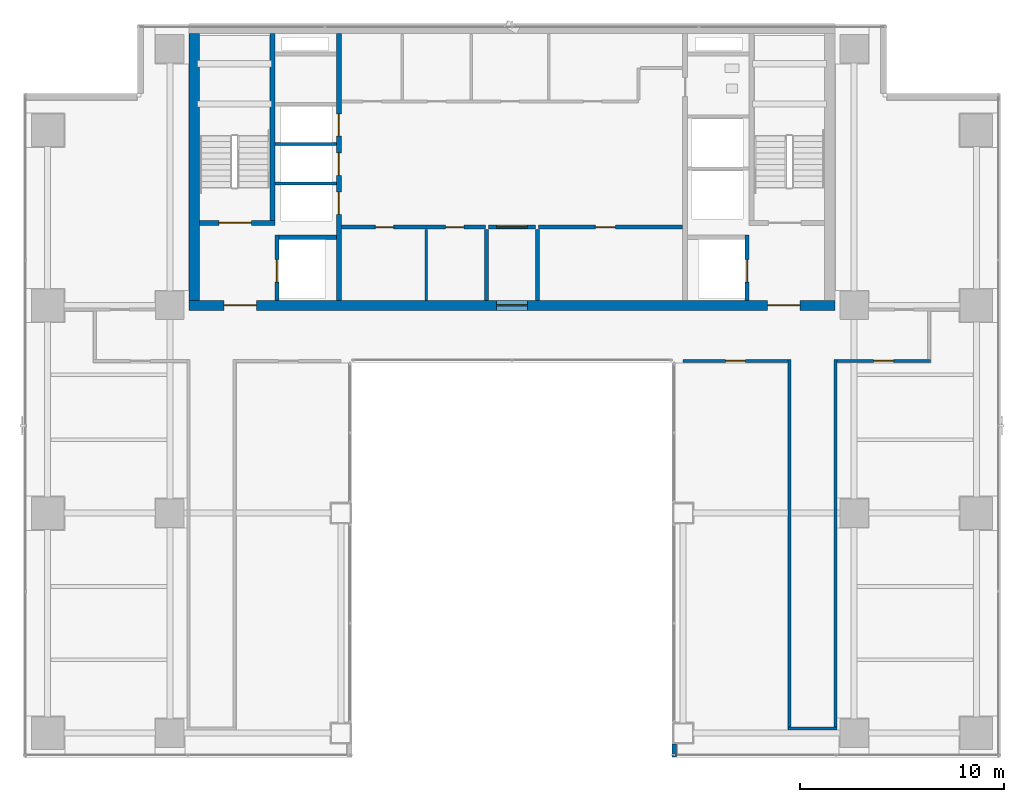
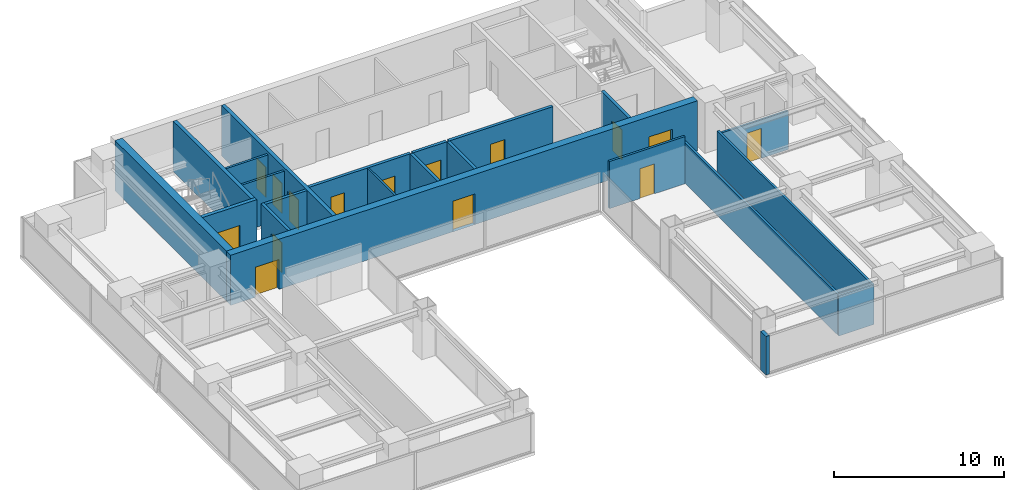
# One storey, part 24 of 28: 22 walls, 15 doors, 15 openings.
"""IFC4 building model written with IfcOpenShell, lengths in metres."""

from ifc_helpers import new_model, si_unit, direction, frame, frame_2d, origin, place, context, subcontext, project, spatial, rectangle, extrude, source, transform, mapped, material, layer, layer_set, type_object, element, fill, save


model = new_model("IFC4")

# Units and contexts
model_context = context("Model", 3, precision=1e-05, world=origin(), true_north=direction((0.0, 1.0)))
body_context = subcontext(model_context, "Body", "Model", "MODEL_VIEW")
ifc_project = project(units=[si_unit("LENGTHUNIT", "METRE"), si_unit("AREAUNIT", "SQUARE_METRE"), si_unit("VOLUMEUNIT", "CUBIC_METRE"), si_unit("PLANEANGLEUNIT", "RADIAN"), si_unit("MASSUNIT", "GRAM", prefix="KILO")], contexts=[model_context])

# Site, building, storey
site_placement = place(None, origin())
site = spatial("IfcSite", under=ifc_project, at=site_placement, CompositionType="ELEMENT")
building_placement = place(site_placement, origin())
building = spatial("IfcBuilding", under=site, at=building_placement, Name="Sumidabori Civic Tower", CompositionType="ELEMENT")
storey_placement = place(building_placement, frame((0.0, 0.0, 210.800048828125)))
storey = spatial("IfcBuildingStorey", under=building, at=storey_placement, Name="L54", CompositionType="ELEMENT", Elevation=210.800048828125)

# Wall
ifc_material_1 = material(Name="Concrete C50/60", Category="concrete")
ifc_layer_1 = layer(ifc_material_1, 0.199951171875, Name="Concrete C50/60")
ifc_layer_set_1 = layer_set([ifc_layer_1], Name="Concrete C50/60")
wall_type_1 = type_object("IfcWallType", Name="WL-SHAFT-200", PredefinedType="SHEAR", material=ifc_layer_set_1)
shared_shape_1 = source(origin(), body_context, "Body", "SweptSolid", [
    extrude(rectangle(XDim=2.824951171875, YDim=0.199951171875, at=frame_2d((1.41259765625, 0.0))), origin(), (0.0, 0.0, 1.0), 3.599853515625),
])
wall_1_placement = place(storey_placement, frame((-11.449951171875, 13.550048828125, 0.0), z_axis=(0.0, 0.0, 1.0), x_axis=(1.0, 0.0, 0.0)))
element("IfcWall", 1, at=wall_1_placement, inside=storey, type_object=wall_type_1, Name="Core Shear Wall L54 EL1-N", PredefinedType="SHEAR", context=body_context, shape_type="MappedRepresentation", body=[
    mapped(shared_shape_1, transform((0.0, 0.0, 0.0), x_axis=(1.0, 0.0, 0.0), y_axis=(0.0, 1.0, 0.0), z_axis=(0.0, 0.0, 1.0), scale=1.0)),
])

# Wall, openings, doors
ifc_layer_2 = layer(ifc_material_1, 0.5, Name="Concrete C50/60")
ifc_layer_set_2 = layer_set([ifc_layer_2], Name="Concrete C50/60")
wall_type_2 = type_object("IfcWallType", Name="WL-CORE-500", PredefinedType="SHEAR", material=ifc_layer_set_2)
shared_shape_2 = source(origin(), body_context, "Body", "SweptSolid", [
    extrude(rectangle(XDim=31.7001953125, YDim=0.5, at=frame_2d((15.85009765625, 0.0))), origin(), (0.0, 0.0, 1.0), 3.599853515625),
])
wall_2_placement = place(storey_placement, frame((-15.85009765625, 10.199951171875, 0.0), z_axis=(0.0, 0.0, 1.0), x_axis=(1.0, 0.0, 0.0)))
wall_2 = element("IfcWall", 2, at=wall_2_placement, inside=storey, type_object=wall_type_2, Name="Core Shear Wall L54 S", PredefinedType="SHEAR", context=body_context, shape_type="MappedRepresentation", body=[
    mapped(shared_shape_2, transform((0.0, 0.0, 0.0), x_axis=(1.0, 0.0, 0.0), y_axis=(0.0, 1.0, 0.0), z_axis=(0.0, 0.0, 1.0), scale=1.0)),
])
opening_1_placement = place(wall_2_placement, frame((1.699951171875, 0.0, 0.0)))
opening_1 = element("IfcOpeningElement", 3, at=opening_1_placement, cuts=wall_2, Name="Opening DR-FD4", PredefinedType="OPENING", context=body_context, shape_type="SweptSolid", body=[
    extrude(rectangle(XDim=1.60009765625, YDim=2.14990234375, at=frame_2d((0.800048828125, 1.074951171875))), frame((0.0, 0.261962890625, 0.0), z_axis=(0.0, -1.0, 0.0), x_axis=(1.0, 0.0, 0.0)), (0.0, 0.0, 1.0), 0.52392578125),
])
opening_2_placement = place(wall_2_placement, frame((28.39990234375, 0.0, 0.0)))
opening_2 = element("IfcOpeningElement", 4, at=opening_2_placement, cuts=wall_2, Name="Opening DR-FD4", PredefinedType="OPENING", context=body_context, shape_type="SweptSolid", body=[
    extrude(rectangle(XDim=1.60009765625, YDim=2.14990234375, at=frame_2d((0.800048828125, 1.074951171875))), frame((0.0, 0.261962890625, 0.0), z_axis=(0.0, -1.0, 0.0), x_axis=(1.0, 0.0, 0.0)), (0.0, 0.0, 1.0), 0.52392578125),
])
opening_3_placement = place(wall_2_placement, frame((15.10009765625, 0.0, 0.0)))
opening_3 = element("IfcOpeningElement", 5, at=opening_3_placement, cuts=wall_2, Name="Opening DR-FD3", PredefinedType="OPENING", context=body_context, shape_type="SweptSolid", body=[
    extrude(rectangle(XDim=1.5, YDim=2.199951171875, at=frame_2d((0.75, 1.10009765625))), frame((0.0, 0.261962890625, 0.0), z_axis=(0.0, -1.0, 0.0), x_axis=(1.0, 0.0, 0.0)), (0.0, 0.0, 1.0), 0.52392578125),
])
ifc_material_2 = material(Name="Steel SN490", Category="steel")
door_type_1 = type_object("IfcDoorType", Name="DR-FD4", OperationType="DOUBLE_DOOR_SINGLE_SWING", PredefinedType="DOOR", material=ifc_material_2)
shared_shape_3 = source(origin(), body_context, "Body", "SweptSolid", [
    extrude(rectangle(XDim=1.60009765625, YDim=2.14990234375, at=frame_2d((0.800048828125, 1.074951171875))), frame((0.0, 0.02490234375, 0.0), z_axis=(0.0, -1.0, 0.0), x_axis=(1.0, 0.0, 0.0)), (0.0, 0.0, 1.0), 0.050048828125),
])
door_1_placement = place(opening_1_placement, origin())
door_1 = element("IfcDoor", 6, at=door_1_placement, inside=storey, type_object=door_type_1, Name="Door DR:L54:ELOB-W", OperationType="DOUBLE_DOOR_SINGLE_SWING", OverallHeight=2.14990234375, OverallWidth=1.60009765625, PredefinedType="DOOR", context=body_context, shape_type="MappedRepresentation", body=[
    mapped(shared_shape_3, transform((0.0, 0.0, 0.0), x_axis=(1.0, 0.0, 0.0), y_axis=(0.0, 1.0, 0.0), z_axis=(0.0, 0.0, 1.0), scale=1.0)),
])
fill(opening_1, door_1)
door_2_placement = place(opening_2_placement, origin())
door_2 = element("IfcDoor", 7, at=door_2_placement, inside=storey, type_object=door_type_1, Name="Door DR:L54:ELOB-E", OperationType="DOUBLE_DOOR_SINGLE_SWING", OverallHeight=2.14990234375, OverallWidth=1.60009765625, PredefinedType="DOOR", context=body_context, shape_type="MappedRepresentation", body=[
    mapped(shared_shape_3, transform((0.0, 0.0, 0.0), x_axis=(1.0, 0.0, 0.0), y_axis=(0.0, 1.0, 0.0), z_axis=(0.0, 0.0, 1.0), scale=1.0)),
])
fill(opening_2, door_2)
door_type_2 = type_object("IfcDoorType", Name="DR-FD-DBL", OperationType="DOUBLE_DOOR_SINGLE_SWING", PredefinedType="DOOR", material=ifc_material_2)
shared_shape_4 = source(origin(), body_context, "Body", "SweptSolid", [
    extrude(rectangle(XDim=1.5, YDim=2.199951171875, at=frame_2d((0.75, 1.10009765625))), frame((0.0, 0.02490234375, 0.0), z_axis=(0.0, -1.0, 0.0), x_axis=(1.0, 0.0, 0.0)), (0.0, 0.0, 1.0), 0.050048828125),
])
door_3_placement = place(opening_3_placement, origin())
door_3 = element("IfcDoor", 8, at=door_3_placement, inside=storey, type_object=door_type_2, Name="Door DR:L54:THROAT-OUT", OperationType="DOUBLE_DOOR_SINGLE_SWING", OverallHeight=2.199951171875, OverallWidth=1.5, PredefinedType="DOOR", context=body_context, shape_type="MappedRepresentation", body=[
    mapped(shared_shape_4, transform((0.0, 0.0, 0.0), x_axis=(1.0, 0.0, 0.0), y_axis=(0.0, 1.0, 0.0), z_axis=(0.0, 0.0, 1.0), scale=1.0)),
])
fill(opening_3, door_3)

# Wall
shared_shape_5 = source(origin(), body_context, "Body", "SweptSolid", [
    extrude(rectangle(XDim=13.10009765625, YDim=0.5, at=frame_2d((6.550048828125, 0.0))), origin(), (0.0, 0.0, 1.0), 3.599853515625),
])
wall_3_placement = place(storey_placement, frame((-15.60009765625, 10.449951171875, 0.0), z_axis=(0.0, 0.0, 1.0), x_axis=(0.0, 1.0, 0.0)))
element("IfcWall", 9, at=wall_3_placement, inside=storey, type_object=wall_type_2, Name="Core Shear Wall L54 W", PredefinedType="SHEAR", context=body_context, shape_type="MappedRepresentation", body=[
    mapped(shared_shape_5, transform((0.0, 0.0, 0.0), x_axis=(1.0, 0.0, 0.0), y_axis=(0.0, 1.0, 0.0), z_axis=(0.0, 0.0, 1.0), scale=1.0)),
])

# Wall, openings, doors
ifc_layer_3 = layer(ifc_material_1, 0.25, Name="Concrete C50/60")
ifc_layer_set_3 = layer_set([ifc_layer_3], Name="Concrete C50/60")
wall_type_3 = type_object("IfcWallType", Name="WL-SHAFT-250", PredefinedType="SHEAR", material=ifc_layer_set_3)
shared_shape_6 = source(origin(), body_context, "Body", "SweptSolid", [
    extrude(rectangle(XDim=13.10009765625, YDim=0.25, at=frame_2d((6.550048828125, 0.0))), origin(), (0.0, 0.0, 1.0), 3.599853515625),
])
wall_4_placement = place(storey_placement, frame((-8.5, 10.449951171875, 0.0), z_axis=(0.0, 0.0, 1.0), x_axis=(0.0, 1.0, 0.0)))
wall_4 = element("IfcWall", 10, at=wall_4_placement, inside=storey, type_object=wall_type_3, Name="Core Shear Wall L54 WEB-W", PredefinedType="SHEAR", context=body_context, shape_type="MappedRepresentation", body=[
    mapped(shared_shape_6, transform((0.0, 0.0, 0.0), x_axis=(1.0, 0.0, 0.0), y_axis=(0.0, 1.0, 0.0), z_axis=(0.0, 0.0, 1.0), scale=1.0)),
])
opening_4_placement = place(wall_4_placement, frame((4.219970703125, 0.0, 0.0)))
opening_4 = element("IfcOpeningElement", 11, at=opening_4_placement, cuts=wall_4, Name="Opening LD-1", PredefinedType="OPENING", context=body_context, shape_type="SweptSolid", body=[
    extrude(rectangle(XDim=1.10009765625, YDim=2.14990234375, at=frame_2d((0.550048828125, 1.074951171875))), frame((0.0, 0.136962890625, 0.0), z_axis=(0.0, -1.0, 0.0), x_axis=(1.0, 0.0, 0.0)), (0.0, 0.0, 1.0), 0.27392578125),
])
opening_5_placement = place(wall_4_placement, frame((6.139892578125, 0.0, 0.0)))
opening_5 = element("IfcOpeningElement", 12, at=opening_5_placement, cuts=wall_4, Name="Opening LD-1", PredefinedType="OPENING", context=body_context, shape_type="SweptSolid", body=[
    extrude(rectangle(XDim=1.10009765625, YDim=2.14990234375, at=frame_2d((0.550048828125, 1.074951171875))), frame((0.0, 0.136962890625, 0.0), z_axis=(0.0, -1.0, 0.0), x_axis=(1.0, 0.0, 0.0)), (0.0, 0.0, 1.0), 0.27392578125),
])
opening_6_placement = place(wall_4_placement, frame((8.06005859375, 0.0, 0.0)))
opening_6 = element("IfcOpeningElement", 13, at=opening_6_placement, cuts=wall_4, Name="Opening LD-1", PredefinedType="OPENING", context=body_context, shape_type="SweptSolid", body=[
    extrude(rectangle(XDim=1.10009765625, YDim=2.14990234375, at=frame_2d((0.550048828125, 1.074951171875))), frame((0.0, 0.136962890625, 0.0), z_axis=(0.0, -1.0, 0.0), x_axis=(1.0, 0.0, 0.0)), (0.0, 0.0, 1.0), 0.27392578125),
])
ifc_material_3 = material(Name="Stainless Steel Hairline Finish", Category="steel")
door_type_3 = type_object("IfcDoorType", Name="DR-LD1", OperationType="DOUBLE_DOOR_SLIDING", PredefinedType="DOOR", material=ifc_material_3)
shared_shape_7 = source(origin(), body_context, "Body", "SweptSolid", [
    extrude(rectangle(XDim=1.10009765625, YDim=2.14990234375, at=frame_2d((0.550048828125, 1.074951171875))), frame((0.0, 0.02490234375, 0.0), z_axis=(0.0, -1.0, 0.0), x_axis=(1.0, 0.0, 0.0)), (0.0, 0.0, 1.0), 0.050048828125),
])
door_4_placement = place(opening_4_placement, origin())
door_4 = element("IfcDoor", 14, at=door_4_placement, inside=storey, type_object=door_type_3, Name="Door DR:L54:LD-PLH1", OperationType="DOUBLE_DOOR_SLIDING", OverallHeight=2.14990234375, OverallWidth=1.10009765625, PredefinedType="DOOR", context=body_context, shape_type="MappedRepresentation", body=[
    mapped(shared_shape_7, transform((0.0, 0.0, 0.0), x_axis=(1.0, 0.0, 0.0), y_axis=(0.0, 1.0, 0.0), z_axis=(0.0, 0.0, 1.0), scale=1.0)),
])
fill(opening_4, door_4)
door_5_placement = place(opening_5_placement, origin())
door_5 = element("IfcDoor", 15, at=door_5_placement, inside=storey, type_object=door_type_3, Name="Door DR:L54:LD-PLH2", OperationType="DOUBLE_DOOR_SLIDING", OverallHeight=2.14990234375, OverallWidth=1.10009765625, PredefinedType="DOOR", context=body_context, shape_type="MappedRepresentation", body=[
    mapped(shared_shape_7, transform((0.0, 0.0, 0.0), x_axis=(1.0, 0.0, 0.0), y_axis=(0.0, 1.0, 0.0), z_axis=(0.0, 0.0, 1.0), scale=1.0)),
])
fill(opening_5, door_5)
door_6_placement = place(opening_6_placement, origin())
door_6 = element("IfcDoor", 16, at=door_6_placement, inside=storey, type_object=door_type_3, Name="Door DR:L54:LD-PLH3", OperationType="DOUBLE_DOOR_SLIDING", OverallHeight=2.14990234375, OverallWidth=1.10009765625, PredefinedType="DOOR", context=body_context, shape_type="MappedRepresentation", body=[
    mapped(shared_shape_7, transform((0.0, 0.0, 0.0), x_axis=(1.0, 0.0, 0.0), y_axis=(0.0, 1.0, 0.0), z_axis=(0.0, 0.0, 1.0), scale=1.0)),
])
fill(opening_6, door_6)

# Wall, opening, door
shared_shape_8 = source(origin(), body_context, "Body", "SweptSolid", [
    extrude(rectangle(XDim=3.705078125, YDim=0.25, at=frame_2d((1.8525390625, 0.0))), origin(), (0.0, 0.0, 1.0), 3.599853515625),
])
wall_5_placement = place(storey_placement, frame((-15.35009765625, 14.25, 0.0), z_axis=(0.0, 0.0, 1.0), x_axis=(1.0, 0.0, 0.0)))
wall_5 = element("IfcWall", 17, at=wall_5_placement, inside=storey, type_object=wall_type_3, Name="Core Shear Wall L54 ST1-S", PredefinedType="SHEAR", context=body_context, shape_type="MappedRepresentation", body=[
    mapped(shared_shape_8, transform((0.0, 0.0, 0.0), x_axis=(1.0, 0.0, 0.0), y_axis=(0.0, 1.0, 0.0), z_axis=(0.0, 0.0, 1.0), scale=1.0)),
])
opening_7_placement = place(wall_5_placement, frame((0.949951171875, 0.0, 0.0)))
opening_7 = element("IfcOpeningElement", 18, at=opening_7_placement, cuts=wall_5, Name="Opening DR-FD4", PredefinedType="OPENING", context=body_context, shape_type="SweptSolid", body=[
    extrude(rectangle(XDim=1.60009765625, YDim=2.14990234375, at=frame_2d((0.800048828125, 1.074951171875))), frame((0.0, 0.136962890625, 0.0), z_axis=(0.0, -1.0, 0.0), x_axis=(1.0, 0.0, 0.0)), (0.0, 0.0, 1.0), 0.27392578125),
])
door_7_placement = place(opening_7_placement, origin())
door_7 = element("IfcDoor", 19, at=door_7_placement, inside=storey, type_object=door_type_1, Name="Door DR:L54:ST1", OperationType="DOUBLE_DOOR_SINGLE_SWING", OverallHeight=2.14990234375, OverallWidth=1.60009765625, PredefinedType="DOOR", context=body_context, shape_type="MappedRepresentation", body=[
    mapped(shared_shape_3, transform((0.0, 0.0, 0.0), x_axis=(1.0, 0.0, 0.0), y_axis=(0.0, 1.0, 0.0), z_axis=(0.0, 0.0, 1.0), scale=1.0)),
])
fill(opening_7, door_7)

# Wall
shared_shape_9 = source(origin(), body_context, "Body", "SweptSolid", [
    extrude(rectangle(XDim=9.175048828125, YDim=0.25, at=frame_2d((4.58740234375, 0.0))), origin(), (0.0, 0.0, 1.0), 3.599853515625),
])
wall_6_placement = place(storey_placement, frame((-11.77001953125, 14.375, 0.0), z_axis=(0.0, 0.0, 1.0), x_axis=(0.0, 1.0, 0.0)))
element("IfcWall", 20, at=wall_6_placement, inside=storey, type_object=wall_type_3, Name="Core Shear Wall L54 ST1-E", PredefinedType="SHEAR", context=body_context, shape_type="MappedRepresentation", body=[
    mapped(shared_shape_9, transform((0.0, 0.0, 0.0), x_axis=(1.0, 0.0, 0.0), y_axis=(0.0, 1.0, 0.0), z_axis=(0.0, 0.0, 1.0), scale=1.0)),
])

# Wall, opening, door
shared_shape_10 = source(origin(), body_context, "Body", "SweptSolid", [
    extrude(rectangle(XDim=3.199951171875, YDim=0.199951171875, at=frame_2d((1.60009765625, 0.0))), origin(), (0.0, 0.0, 1.0), 3.599853515625),
])
wall_7_placement = place(storey_placement, frame((-11.550048828125, 10.449951171875, 0.0), z_axis=(0.0, 0.0, 1.0), x_axis=(0.0, 1.0, 0.0)))
wall_7 = element("IfcWall", 21, at=wall_7_placement, inside=storey, type_object=wall_type_1, Name="Core Shear Wall L54 EL1-W", PredefinedType="SHEAR", context=body_context, shape_type="MappedRepresentation", body=[
    mapped(shared_shape_10, transform((0.0, 0.0, 0.0), x_axis=(1.0, 0.0, 0.0), y_axis=(0.0, 1.0, 0.0), z_axis=(0.0, 0.0, 1.0), scale=1.0)),
])
opening_8_placement = place(wall_7_placement, frame((0.89990234375, 0.0, 0.0)))
opening_8 = element("IfcOpeningElement", 22, at=opening_8_placement, cuts=wall_7, Name="Opening LD-2", PredefinedType="OPENING", context=body_context, shape_type="SweptSolid", body=[
    extrude(rectangle(XDim=1.10009765625, YDim=2.14990234375, at=frame_2d((0.550048828125, 1.074951171875))), frame((0.0, 0.11181640625, 0.0), z_axis=(0.0, -1.0, 0.0), x_axis=(1.0, 0.0, 0.0)), (0.0, 0.0, 1.0), 0.223876953125),
])
door_type_4 = type_object("IfcDoorType", Name="DR-LD2", OperationType="DOUBLE_DOOR_SLIDING", PredefinedType="DOOR", material=ifc_material_3)
door_8_placement = place(opening_8_placement, origin())
door_8 = element("IfcDoor", 23, at=door_8_placement, inside=storey, type_object=door_type_4, Name="Door DR:L54:LD-EL1", OperationType="DOUBLE_DOOR_SLIDING", OverallHeight=2.14990234375, OverallWidth=1.10009765625, PredefinedType="DOOR", context=body_context, shape_type="MappedRepresentation", body=[
    mapped(shared_shape_7, transform((0.0, 0.0, 0.0), x_axis=(1.0, 0.0, 0.0), y_axis=(0.0, 1.0, 0.0), z_axis=(0.0, 0.0, 1.0), scale=1.0)),
])
fill(opening_8, door_8)

wall_8_placement = place(storey_placement, frame((11.550048828125, 10.449951171875, 0.0), z_axis=(0.0, 0.0, 1.0), x_axis=(0.0, 1.0, 0.0)))
wall_8 = element("IfcWall", 24, at=wall_8_placement, inside=storey, type_object=wall_type_1, Name="Core Shear Wall L54 EL2-E", PredefinedType="SHEAR", context=body_context, shape_type="MappedRepresentation", body=[
    mapped(shared_shape_10, transform((0.0, 0.0, 0.0), x_axis=(1.0, 0.0, 0.0), y_axis=(0.0, 1.0, 0.0), z_axis=(0.0, 0.0, 1.0), scale=1.0)),
])
opening_9_placement = place(wall_8_placement, frame((0.89990234375, 0.0, 0.0)))
opening_9 = element("IfcOpeningElement", 25, at=opening_9_placement, cuts=wall_8, Name="Opening LD-2", PredefinedType="OPENING", context=body_context, shape_type="SweptSolid", body=[
    extrude(rectangle(XDim=1.10009765625, YDim=2.14990234375, at=frame_2d((0.550048828125, 1.074951171875))), frame((0.0, 0.11181640625, 0.0), z_axis=(0.0, -1.0, 0.0), x_axis=(1.0, 0.0, 0.0)), (0.0, 0.0, 1.0), 0.223876953125),
])
door_9_placement = place(opening_9_placement, origin())
door_9 = element("IfcDoor", 26, at=door_9_placement, inside=storey, type_object=door_type_4, Name="Door DR:L54:LD-EL2", OperationType="DOUBLE_DOOR_SLIDING", OverallHeight=2.14990234375, OverallWidth=1.10009765625, PredefinedType="DOOR", context=body_context, shape_type="MappedRepresentation", body=[
    mapped(shared_shape_7, transform((0.0, 0.0, 0.0), x_axis=(1.0, 0.0, 0.0), y_axis=(0.0, 1.0, 0.0), z_axis=(0.0, 0.0, 1.0), scale=1.0)),
])
fill(opening_9, door_9)

# Walls
ifc_material_4 = material(Name="Precast concrete C40/50", Category="concrete")
ifc_layer_4 = layer(ifc_material_4, 0.300048828125, Name="Precast concrete C40/50")
ifc_layer_set_4 = layer_set([ifc_layer_4], Name="Precast concrete C40/50")
wall_type_4 = type_object("IfcWallType", Name="WL-EXT-POD300", PredefinedType="STANDARD", material=ifc_layer_set_4)
shared_shape_11 = source(origin(), body_context, "Body", "SweptSolid", [
    extrude(rectangle(XDim=0.639892578125, YDim=0.239990234375, at=frame_2d((0.31982421875, 0.0))), origin(), (0.0, 0.0, 1.0), 2.760009765625),
])
wall_9_placement = place(storey_placement, frame((7.969970703125, -11.330078125, 0.0), z_axis=(0.0, 0.0, 1.0), x_axis=(0.0, -1.0, 0.0)))
element("IfcWall", 27, at=wall_9_placement, inside=storey, type_object=wall_type_4, Name="Perimeter Pier Spandrel L54-08", PredefinedType="STANDARD", context=body_context, shape_type="MappedRepresentation", body=[
    mapped(shared_shape_11, transform((0.0, 0.0, 0.0), x_axis=(1.0, 0.0, 0.0), y_axis=(0.0, 1.0, 0.0), z_axis=(0.0, 0.0, 1.0), scale=1.0)),
])
ifc_material_5 = material(Name="Gypsum Plasterboard Acoustic Partition")
ifc_layer_5 = layer(ifc_material_5, 0.14990234375, Name="Gypsum Plasterboard Acoustic Partition")
ifc_layer_set_5 = layer_set([ifc_layer_5], Name="Gypsum Plasterboard Acoustic Partition")
wall_type_5 = type_object("IfcWallType", Name="WL-PART-150", PredefinedType="PARTITIONING", material=ifc_layer_set_5)
shared_shape_12 = source(origin(), body_context, "Body", "SweptSolid", [
    extrude(rectangle(XDim=3.010009765625, YDim=0.14990234375, at=frame_2d((1.5048828125, 0.0))), origin(), (0.0, 0.0, 1.0), 3.3798828125),
])
for number, where, z_axis, x_axis, name in (
    (28, (-11.639892578125, 16.199951171875, 0.0), (0.0, 0.0, 1.0), (1.0, 0.0, 0.0), "Interior Partition WL:L54:DIV-PLH1"),
    (29, (-11.639892578125, 18.1201171875, 0.0), (0.0, 0.0, 1.0), (1.0, 0.0, 0.0), "Interior Partition WL:L54:DIV-PLH2"),
):
    element("IfcWall", number, at=place(storey_placement, frame(where, z_axis=z_axis, x_axis=x_axis)), inside=storey, type_object=wall_type_5, Name=name, PredefinedType="PARTITIONING", context=body_context, shape_type="MappedRepresentation", body=[
        mapped(shared_shape_12, transform((0.0, 0.0, 0.0), x_axis=(1.0, 0.0, 0.0), y_axis=(0.0, 1.0, 0.0), z_axis=(0.0, 0.0, 1.0), scale=1.0)),
    ])

# Wall, openings, doors
ifc_material_6 = material(Name="Gypsum Plasterboard Fire Partition")
ifc_layer_6 = layer(ifc_material_6, 0.199951171875, Name="Gypsum Plasterboard Fire Partition")
ifc_layer_set_6 = layer_set([ifc_layer_6], Name="Gypsum Plasterboard Fire Partition")
wall_type_6 = type_object("IfcWallType", Name="WL-PART-FIRE", PredefinedType="PARTITIONING", material=ifc_layer_set_6)
shared_shape_13 = source(origin(), body_context, "Body", "SweptSolid", [
    extrude(rectangle(XDim=7.070068359375, YDim=0.199951171875, at=frame_2d((3.53515625, 0.0))), origin(), (0.0, 0.0, 1.0), 3.3798828125),
])
wall_10_placement = place(storey_placement, frame((-8.3701171875, 14.050048828125, 0.0), z_axis=(0.0, 0.0, 1.0), x_axis=(1.0, 0.0, 0.0)))
wall_10 = element("IfcWall", 30, at=wall_10_placement, inside=storey, type_object=wall_type_6, Name="Interior Partition WL:L54:CBAND-SW", PredefinedType="PARTITIONING", context=body_context, shape_type="MappedRepresentation", body=[
    mapped(shared_shape_13, transform((0.0, 0.0, 0.0), x_axis=(1.0, 0.0, 0.0), y_axis=(0.0, 1.0, 0.0), z_axis=(0.0, 0.0, 1.0), scale=1.0)),
])
opening_10_placement = place(wall_10_placement, frame((1.659912109375, 0.0, 0.0)))
opening_10 = element("IfcOpeningElement", 31, at=opening_10_placement, cuts=wall_10, Name="Opening DR-1", PredefinedType="OPENING", context=body_context, shape_type="SweptSolid", body=[
    extrude(rectangle(XDim=0.89990234375, YDim=2.14990234375, at=frame_2d((0.449951171875, 1.074951171875))), frame((0.0, 0.11181640625, 0.0), z_axis=(0.0, -1.0, 0.0), x_axis=(1.0, 0.0, 0.0)), (0.0, 0.0, 1.0), 0.223876953125),
])
opening_11_placement = place(wall_10_placement, frame((5.110107421875, 0.0, 0.0)))
opening_11 = element("IfcOpeningElement", 32, at=opening_11_placement, cuts=wall_10, Name="Opening DR-1", PredefinedType="OPENING", context=body_context, shape_type="SweptSolid", body=[
    extrude(rectangle(XDim=0.89990234375, YDim=2.14990234375, at=frame_2d((0.449951171875, 1.074951171875))), frame((0.0, 0.11181640625, 0.0), z_axis=(0.0, -1.0, 0.0), x_axis=(1.0, 0.0, 0.0)), (0.0, 0.0, 1.0), 0.223876953125),
])
ifc_material_7 = material(Name="Japanese Hinoki Timber", Category="wood")
door_type_5 = type_object("IfcDoorType", Name="DR-INT-900", OperationType="NOTDEFINED", PredefinedType="DOOR", material=ifc_material_7)
shared_shape_14 = source(origin(), body_context, "Body", "SweptSolid", [
    extrude(rectangle(XDim=0.89990234375, YDim=2.14990234375, at=frame_2d((0.449951171875, 1.074951171875))), frame((0.0, 0.02490234375, 0.0), z_axis=(0.0, -1.0, 0.0), x_axis=(1.0, 0.0, 0.0)), (0.0, 0.0, 1.0), 0.050048828125),
])
door_10_placement = place(opening_10_placement, origin())
door_10 = element("IfcDoor", 33, at=door_10_placement, inside=storey, type_object=door_type_5, Name="Door DR:L54:REC-B1A", OperationType="SINGLE_SWING_LEFT", OverallHeight=2.14990234375, OverallWidth=0.89990234375, PredefinedType="DOOR", context=body_context, shape_type="MappedRepresentation", body=[
    mapped(shared_shape_14, transform((0.0, 0.0, 0.0), x_axis=(1.0, 0.0, 0.0), y_axis=(0.0, 1.0, 0.0), z_axis=(0.0, 0.0, 1.0), scale=1.0)),
])
fill(opening_10, door_10)
door_11_placement = place(opening_11_placement, origin())
door_11 = element("IfcDoor", 34, at=door_11_placement, inside=storey, type_object=door_type_5, Name="Door DR:L54:REC-B1B", OperationType="SINGLE_SWING_RIGHT", OverallHeight=2.14990234375, OverallWidth=0.89990234375, PredefinedType="DOOR", context=body_context, shape_type="MappedRepresentation", body=[
    mapped(shared_shape_14, transform((0.0, 0.0, 0.0), x_axis=(1.0, 0.0, 0.0), y_axis=(0.0, 1.0, 0.0), z_axis=(0.0, 0.0, 1.0), scale=1.0)),
])
fill(opening_11, door_11)

# Wall, opening, door
wall_11_placement = place(storey_placement, frame((1.300048828125, 14.050048828125, 0.0), z_axis=(0.0, 0.0, 1.0), x_axis=(1.0, 0.0, 0.0)))
wall_11 = element("IfcWall", 35, at=wall_11_placement, inside=storey, type_object=wall_type_6, Name="Interior Partition WL:L54:CBAND-SE", PredefinedType="PARTITIONING", context=body_context, shape_type="MappedRepresentation", body=[
    mapped(shared_shape_13, transform((0.0, 0.0, 0.0), x_axis=(1.0, 0.0, 0.0), y_axis=(0.0, 1.0, 0.0), z_axis=(0.0, 0.0, 1.0), scale=1.0)),
])
opening_12_placement = place(wall_11_placement, frame((2.800048828125, 0.0, 0.0)))
opening_12 = element("IfcOpeningElement", 36, at=opening_12_placement, cuts=wall_11, Name="Opening DR-3", PredefinedType="OPENING", context=body_context, shape_type="SweptSolid", body=[
    extrude(rectangle(XDim=0.97998046875, YDim=2.14990234375, at=frame_2d((0.489990234375, 1.074951171875))), frame((0.0, 0.11181640625, 0.0), z_axis=(0.0, -1.0, 0.0), x_axis=(1.0, 0.0, 0.0)), (0.0, 0.0, 1.0), 0.223876953125),
])
door_type_6 = type_object("IfcDoorType", Name="DR-INT-980", OperationType="NOTDEFINED", PredefinedType="DOOR", material=ifc_material_7)
shared_shape_15 = source(origin(), body_context, "Body", "SweptSolid", [
    extrude(rectangle(XDim=0.97998046875, YDim=2.14990234375, at=frame_2d((0.489990234375, 1.074951171875))), frame((0.0, 0.02490234375, 0.0), z_axis=(0.0, -1.0, 0.0), x_axis=(1.0, 0.0, 0.0)), (0.0, 0.0, 1.0), 0.050048828125),
])
door_12_placement = place(opening_12_placement, origin())
door_12 = element("IfcDoor", 37, at=door_12_placement, inside=storey, type_object=door_type_6, Name="Door DR:L54:REC-B2", OperationType="SINGLE_SWING_RIGHT", OverallHeight=2.14990234375, OverallWidth=0.97998046875, PredefinedType="DOOR", context=body_context, shape_type="MappedRepresentation", body=[
    mapped(shared_shape_15, transform((0.0, 0.0, 0.0), x_axis=(1.0, 0.0, 0.0), y_axis=(0.0, 1.0, 0.0), z_axis=(0.0, 0.0, 1.0), scale=1.0)),
])
fill(opening_12, door_12)

shared_shape_16 = source(origin(), body_context, "Body", "SweptSolid", [
    extrude(rectangle(XDim=2.2998046875, YDim=0.199951171875, at=frame_2d((1.14990234375, 0.0))), origin(), (0.0, 0.0, 1.0), 3.3798828125),
])
wall_12_placement = place(storey_placement, frame((-1.14990234375, 14.050048828125, 0.0), z_axis=(0.0, 0.0, 1.0), x_axis=(1.0, 0.0, 0.0)))
wall_12 = element("IfcWall", 38, at=wall_12_placement, inside=storey, type_object=wall_type_6, Name="Interior Partition WL:L54:THROAT-N", PredefinedType="PARTITIONING", context=body_context, shape_type="MappedRepresentation", body=[
    mapped(shared_shape_16, transform((0.0, 0.0, 0.0), x_axis=(1.0, 0.0, 0.0), y_axis=(0.0, 1.0, 0.0), z_axis=(0.0, 0.0, 1.0), scale=1.0)),
])
opening_13_placement = place(wall_12_placement, frame((0.39990234375, 0.0, 0.0)))
opening_13 = element("IfcOpeningElement", 39, at=opening_13_placement, cuts=wall_12, Name="Opening DR-FD3", PredefinedType="OPENING", context=body_context, shape_type="SweptSolid", body=[
    extrude(rectangle(XDim=1.5, YDim=2.199951171875, at=frame_2d((0.75, 1.10009765625))), frame((0.0, 0.11181640625, 0.0), z_axis=(0.0, -1.0, 0.0), x_axis=(1.0, 0.0, 0.0)), (0.0, 0.0, 1.0), 0.223876953125),
])
door_13_placement = place(opening_13_placement, origin())
door_13 = element("IfcDoor", 40, at=door_13_placement, inside=storey, type_object=door_type_2, Name="Door DR:L54:THROAT-IN", OperationType="DOUBLE_DOOR_SINGLE_SWING", OverallHeight=2.199951171875, OverallWidth=1.5, PredefinedType="DOOR", context=body_context, shape_type="MappedRepresentation", body=[
    mapped(shared_shape_4, transform((0.0, 0.0, 0.0), x_axis=(1.0, 0.0, 0.0), y_axis=(0.0, 1.0, 0.0), z_axis=(0.0, 0.0, 1.0), scale=1.0)),
])
fill(opening_13, door_13)

# Walls
shared_shape_17 = source(origin(), body_context, "Body", "SweptSolid", [
    extrude(rectangle(XDim=3.489990234375, YDim=0.199951171875, at=frame_2d((1.7451171875, 0.0))), origin(), (0.0, 0.0, 1.0), 3.3798828125),
])
for number, where, z_axis, x_axis, name in (
    (41, (-1.25, 10.449951171875, 0.0), (0.0, 0.0, 1.0), (0.0, 1.0, 0.0), "Interior Partition WL:L54:THROAT-W"),
    (42, (1.25, 10.449951171875, 0.0), (0.0, 0.0, 1.0), (0.0, 1.0, 0.0), "Interior Partition WL:L54:THROAT-E"),
):
    element("IfcWall", number, at=place(storey_placement, frame(where, z_axis=z_axis, x_axis=x_axis)), inside=storey, type_object=wall_type_6, Name=name, PredefinedType="PARTITIONING", context=body_context, shape_type="MappedRepresentation", body=[
        mapped(shared_shape_17, transform((0.0, 0.0, 0.0), x_axis=(1.0, 0.0, 0.0), y_axis=(0.0, 1.0, 0.0), z_axis=(0.0, 0.0, 1.0), scale=1.0)),
    ])
shared_shape_18 = source(origin(), body_context, "Body", "SweptSolid", [
    extrude(rectangle(XDim=2.39990234375, YDim=0.14990234375, at=frame_2d((1.199951171875, 0.0))), origin(), (0.0, 0.0, 1.0), 2.9150390625),
])
wall_13_placement = place(storey_placement, frame((13.550048828125, -10.574951171875, 0.0), z_axis=(0.0, 0.0, 1.0), x_axis=(1.0, 0.0, 0.0)))
element("IfcWall", 43, at=wall_13_placement, inside=storey, type_object=wall_type_5, Name="Interior Partition WL:L54:CORR-CAP-E", PredefinedType="PARTITIONING", context=body_context, shape_type="MappedRepresentation", body=[
    mapped(shared_shape_18, transform((0.0, 0.0, 0.0), x_axis=(1.0, 0.0, 0.0), y_axis=(0.0, 1.0, 0.0), z_axis=(0.0, 0.0, 1.0), scale=1.0)),
])
shared_shape_19 = source(origin(), body_context, "Body", "SweptSolid", [
    extrude(rectangle(XDim=18.045166015625, YDim=0.14990234375, at=frame_2d((9.0224609375, 0.0))), origin(), (0.0, 0.0, 1.0), 2.9150390625),
])
for number, where, z_axis, x_axis, name in (
    (44, (13.625, -10.4951171875, 0.0), (0.0, 0.0, 1.0), (0.0, 1.0, 0.0), "Interior Partition WL:L54:CORR-VPE-I"),
    (45, (15.875, -10.4951171875, 0.0), (0.0, 0.0, 1.0), (0.0, 1.0, 0.0), "Interior Partition WL:L54:CORR-VPE-O"),
):
    element("IfcWall", number, at=place(storey_placement, frame(where, z_axis=z_axis, x_axis=x_axis)), inside=storey, type_object=wall_type_5, Name=name, PredefinedType="PARTITIONING", context=body_context, shape_type="MappedRepresentation", body=[
        mapped(shared_shape_19, transform((0.0, 0.0, 0.0), x_axis=(1.0, 0.0, 0.0), y_axis=(0.0, 1.0, 0.0), z_axis=(0.0, 0.0, 1.0), scale=1.0)),
    ])
ifc_layer_7 = layer(ifc_material_5, 0.1201171875, Name="Gypsum Plasterboard Acoustic Partition")
ifc_layer_set_7 = layer_set([ifc_layer_7], Name="Gypsum Plasterboard Acoustic Partition")
wall_type_7 = type_object("IfcWallType", Name="WL-PART-120", PredefinedType="PARTITIONING", material=ifc_layer_set_7)
shared_shape_20 = source(origin(), body_context, "Body", "SweptSolid", [
    extrude(rectangle(XDim=3.489990234375, YDim=0.1201171875, at=frame_2d((1.7451171875, 0.0))), origin(), (0.0, 0.0, 1.0), 3.3798828125),
])
wall_14_placement = place(storey_placement, frame((-4.199951171875, 10.449951171875, 0.0), z_axis=(0.0, 0.0, 1.0), x_axis=(0.0, 1.0, 0.0)))
element("IfcWall", 46, at=wall_14_placement, inside=storey, type_object=wall_type_7, Name="Interior Partition WL:L54:REC-B1-SP", PredefinedType="PARTITIONING", context=body_context, shape_type="MappedRepresentation", body=[
    mapped(shared_shape_20, transform((0.0, 0.0, 0.0), x_axis=(1.0, 0.0, 0.0), y_axis=(0.0, 1.0, 0.0), z_axis=(0.0, 0.0, 1.0), scale=1.0)),
])

# Wall, opening, door
shared_shape_21 = source(origin(), body_context, "Body", "SweptSolid", [
    extrude(rectangle(XDim=4.60009765625, YDim=0.14990234375, at=frame_2d((2.300048828125, 0.0))), origin(), (0.0, 0.0, 1.0), 2.764892578125),
])
wall_15_placement = place(storey_placement, frame((15.949951171875, 7.47509765625, 0.0), z_axis=(0.0, 0.0, 1.0), x_axis=(1.0, 0.0, 0.0)))
wall_15 = element("IfcWall", 47, at=wall_15_placement, inside=storey, type_object=wall_type_5, Name="Interior Partition WL:L54:CORR-SEO", PredefinedType="PARTITIONING", context=body_context, shape_type="MappedRepresentation", body=[
    mapped(shared_shape_21, transform((0.0, 0.0, 0.0), x_axis=(1.0, 0.0, 0.0), y_axis=(0.0, 1.0, 0.0), z_axis=(0.0, 0.0, 1.0), scale=1.0)),
])
opening_14_placement = place(wall_15_placement, frame((1.81005859375, 0.0, 0.0)))
opening_14 = element("IfcOpeningElement", 48, at=opening_14_placement, cuts=wall_15, Name="Opening DR-3", PredefinedType="OPENING", context=body_context, shape_type="SweptSolid", body=[
    extrude(rectangle(XDim=0.97998046875, YDim=2.14990234375, at=frame_2d((0.489990234375, 1.074951171875))), frame((0.0, 0.0869140625, 0.0), z_axis=(0.0, -1.0, 0.0), x_axis=(1.0, 0.0, 0.0)), (0.0, 0.0, 1.0), 0.173828125),
])
door_14_placement = place(opening_14_placement, origin())
door_14 = element("IfcDoor", 49, at=door_14_placement, inside=storey, type_object=door_type_6, Name="Door DR:L54:D04", OperationType="SINGLE_SWING_RIGHT", OverallHeight=2.14990234375, OverallWidth=0.97998046875, PredefinedType="DOOR", context=body_context, shape_type="MappedRepresentation", body=[
    mapped(shared_shape_15, transform((0.0, 0.0, 0.0), x_axis=(1.0, 0.0, 0.0), y_axis=(0.0, 1.0, 0.0), z_axis=(0.0, 0.0, 1.0), scale=1.0)),
])
fill(opening_14, door_14)

shared_shape_22 = source(origin(), body_context, "Body", "SweptSolid", [
    extrude(rectangle(XDim=5.150146484375, YDim=0.14990234375, at=frame_2d((2.5751953125, 0.0))), origin(), (0.0, 0.0, 1.0), 3.3798828125),
])
wall_16_placement = place(storey_placement, frame((8.39990234375, 7.47509765625, 0.0), z_axis=(0.0, 0.0, 1.0), x_axis=(1.0, 0.0, 0.0)))
wall_16 = element("IfcWall", 50, at=wall_16_placement, inside=storey, type_object=wall_type_5, Name="Interior Partition WL:L54:CORR-SEI", PredefinedType="PARTITIONING", context=body_context, shape_type="MappedRepresentation", body=[
    mapped(shared_shape_22, transform((0.0, 0.0, 0.0), x_axis=(1.0, 0.0, 0.0), y_axis=(0.0, 1.0, 0.0), z_axis=(0.0, 0.0, 1.0), scale=1.0)),
])
opening_15_placement = place(wall_16_placement, frame((2.0849609375, 0.0, 0.0)))
opening_15 = element("IfcOpeningElement", 51, at=opening_15_placement, cuts=wall_16, Name="Opening DR-3", PredefinedType="OPENING", context=body_context, shape_type="SweptSolid", body=[
    extrude(rectangle(XDim=0.97998046875, YDim=2.14990234375, at=frame_2d((0.489990234375, 1.074951171875))), frame((0.0, 0.0869140625, 0.0), z_axis=(0.0, -1.0, 0.0), x_axis=(1.0, 0.0, 0.0)), (0.0, 0.0, 1.0), 0.173828125),
])
door_15_placement = place(opening_15_placement, origin())
door_15 = element("IfcDoor", 52, at=door_15_placement, inside=storey, type_object=door_type_6, Name="Door DR:L54:D06", OperationType="SINGLE_SWING_RIGHT", OverallHeight=2.14990234375, OverallWidth=0.97998046875, PredefinedType="DOOR", context=body_context, shape_type="MappedRepresentation", body=[
    mapped(shared_shape_15, transform((0.0, 0.0, 0.0), x_axis=(1.0, 0.0, 0.0), y_axis=(0.0, 1.0, 0.0), z_axis=(0.0, 0.0, 1.0), scale=1.0)),
])
fill(opening_15, door_15)

save(model, "model.ifc")
